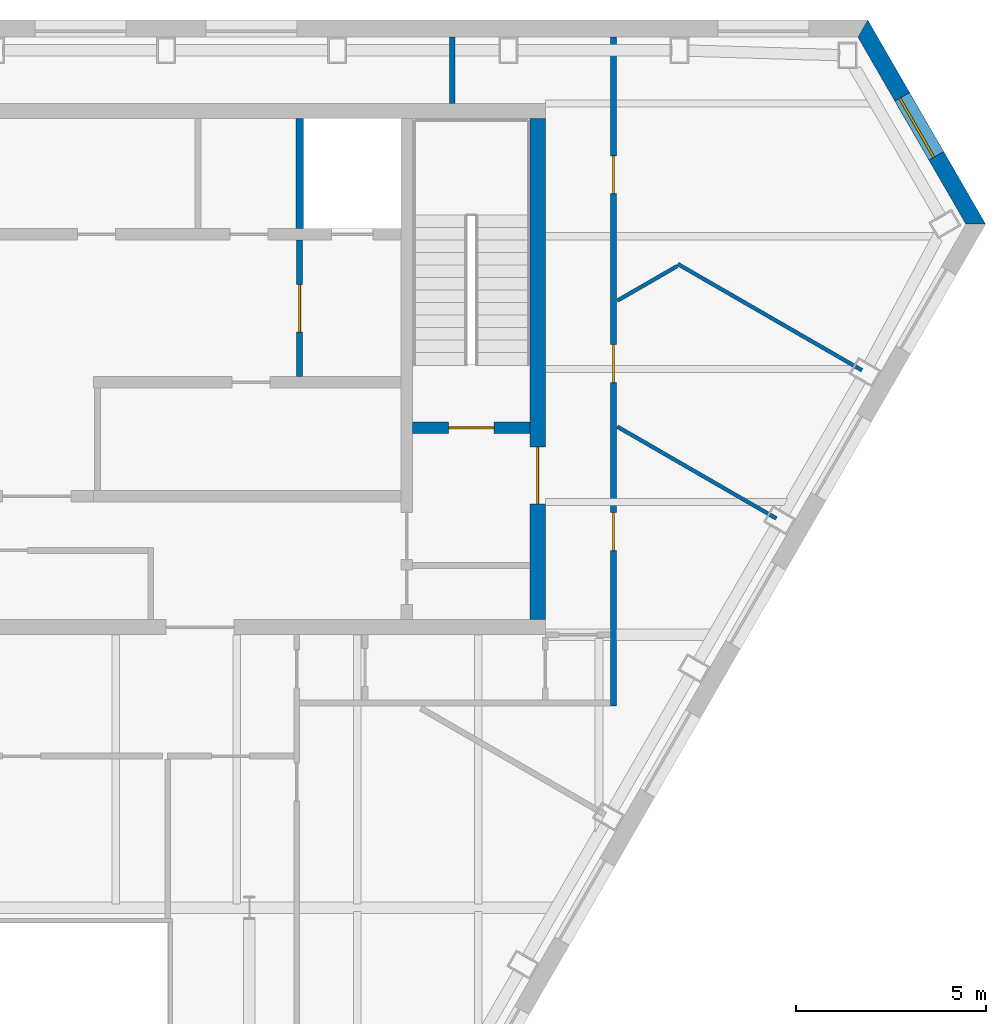
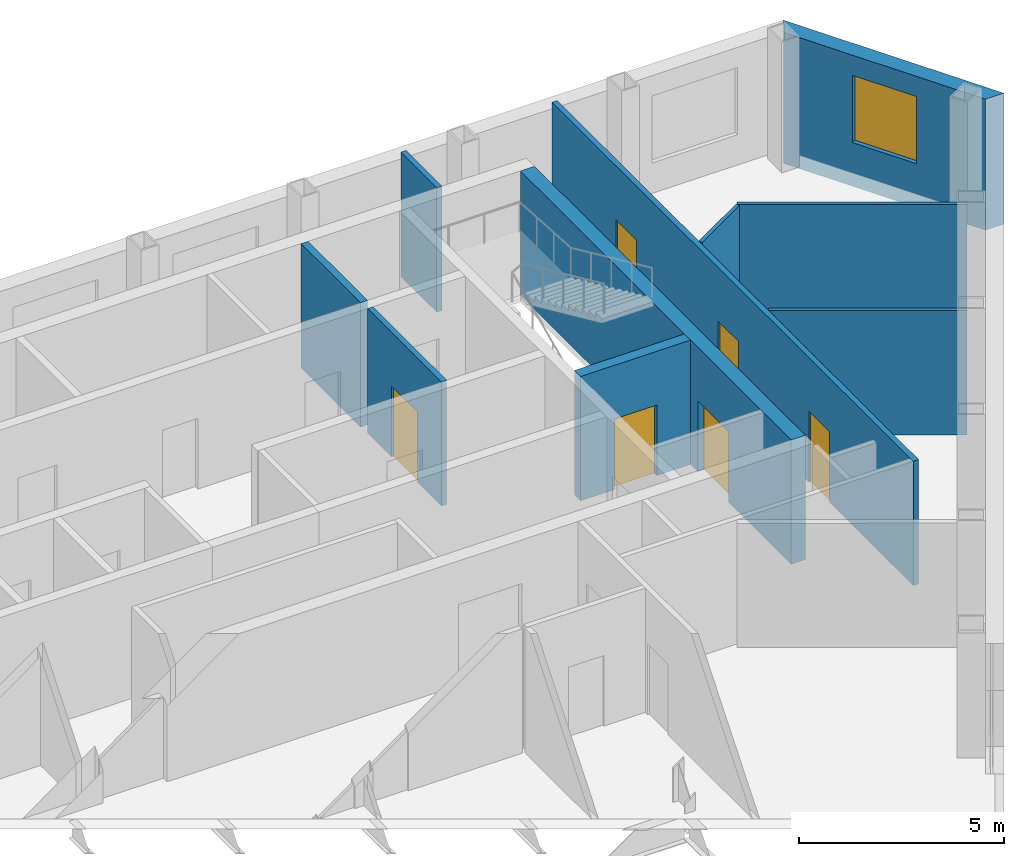
# One storey, part 7 of 10: 10 walls, 6 doors, 1 window, 7 openings.
"""IFC4 building model written with IfcOpenShell, lengths in metres."""

from ifc_helpers import new_model, si_unit, direction, frame, frame_2d, origin, place, context, subcontext, project, spatial, polyline, rectangle, outline, extrude, material, layer, layer_set, type_object, element, fill, save


model = new_model("IFC4")

# Units and contexts
model_context = context("Model", 3, precision=1e-05, world=origin(), true_north=direction((0.0, 1.0)))
body_context = subcontext(model_context, "Body", "Model", "MODEL_VIEW")
ifc_project = project(units=[si_unit("LENGTHUNIT", "METRE"), si_unit("AREAUNIT", "SQUARE_METRE"), si_unit("VOLUMEUNIT", "CUBIC_METRE"), si_unit("PLANEANGLEUNIT", "RADIAN"), si_unit("MASSUNIT", "GRAM", prefix="KILO")], contexts=[model_context])

# Site, building, storey
site_placement = place(None, origin())
site = spatial("IfcSite", under=ifc_project, at=site_placement, CompositionType="ELEMENT")
building_placement = place(site_placement, origin())
building = spatial("IfcBuilding", under=site, at=building_placement, Name="Njiva Tower", CompositionType="ELEMENT")
storey_placement = place(building_placement, frame((0.0, 0.0, 249.3)))
storey = spatial("IfcBuildingStorey", under=building, at=storey_placement, Name="L56", CompositionType="ELEMENT", Elevation=249.3)

# Wall, opening, door
ifc_material_1 = material(Name="Concrete C40/50", Category="concrete")
ifc_layer_1 = layer(ifc_material_1, 0.3)
ifc_layer_set_1 = layer_set([ifc_layer_1], Name="Concrete C40/50")
wall_type_1 = type_object("IfcWallType", Name="WT10 Stair enclosure wall 300", PredefinedType="SHEAR", material=ifc_layer_set_1)
wall_1_placement = place(storey_placement, frame((11.0, 9.45, 0.0), z_axis=(0.0, 0.0, 1.0), x_axis=(1.0, 0.0, 0.0)))
wall_1 = element("IfcWall", 1, at=wall_1_placement, inside=storey, type_object=wall_type_1, Name="Stair B south wall", PredefinedType="SHEAR", context=body_context, shape_type="SweptSolid", body=[
    extrude(rectangle(XDim=3.1, YDim=0.3, at=frame_2d((1.55, 0.0))), origin(), (0.0, 0.0, 1.0), 3.7),
])
opening_1_placement = place(wall_1_placement, frame((0.95, 0.0, 0.0)))
opening_1 = element("IfcOpeningElement", 2, at=opening_1_placement, cuts=wall_1, Name="Opening S18-D919", PredefinedType="OPENING", context=body_context, shape_type="SweptSolid", body=[
    extrude(rectangle(XDim=1.2, YDim=2.1, at=frame_2d((0.6, 1.05))), frame((0.0, 0.16, 0.0), z_axis=(0.0, -1.0, 0.0), x_axis=(1.0, 0.0, 0.0)), (0.0, 0.0, 1.0), 0.32),
])
ifc_material_2 = material(Name="Glazed steel fire door", Category="steel")
door_type_1 = type_object("IfcDoorType", Name="D7 Stair vestibule door 1200x2100 glazed", OperationType="SINGLE_SWING_LEFT", PredefinedType="DOOR", material=ifc_material_2)
door_1_placement = place(opening_1_placement, origin())
door_1 = element("IfcDoor", 3, at=door_1_placement, inside=storey, type_object=door_type_1, Name="Stair B door", OperationType="SINGLE_SWING_LEFT", OverallHeight=2.1, OverallWidth=1.2, PredefinedType="DOOR", context=body_context, shape_type="SweptSolid", body=[
    extrude(rectangle(XDim=1.2, YDim=2.1, at=frame_2d((0.6, 1.05))), frame((0.0, 0.025, 0.0), z_axis=(0.0, -1.0, 0.0), x_axis=(1.0, 0.0, 0.0)), (0.0, 0.0, 1.0), 0.05),
])
fill(opening_1, door_1)

ifc_material_3 = material(Name="Concrete C60/75", Category="concrete")
ifc_layer_2 = layer(ifc_material_3, 0.4)
ifc_layer_set_2 = layer_set([ifc_layer_2], Name="Concrete C60/75")
wall_type_2 = type_object("IfcWallType", Name="WT11 Core wall 400", PredefinedType="SHEAR", material=ifc_layer_set_2)
wall_2_placement = place(storey_placement, frame((14.3, 4.4, 0.0), z_axis=(0.0, 0.0, 1.0), x_axis=(0.0, 1.0, 0.0)))
wall_2 = element("IfcWall", 4, at=wall_2_placement, inside=storey, type_object=wall_type_2, Name="Core wall east", PredefinedType="SHEAR", context=body_context, shape_type="SweptSolid", body=[
    extrude(rectangle(XDim=13.2, YDim=0.4, at=frame_2d((6.6, 0.0))), origin(), (0.0, 0.0, 1.0), 3.7),
])
opening_2_placement = place(wall_2_placement, frame((3.05, 0.0, 0.0)))
opening_2 = element("IfcOpeningElement", 5, at=opening_2_placement, cuts=wall_2, Name="Opening S18-D921", PredefinedType="OPENING", context=body_context, shape_type="SweptSolid", body=[
    extrude(rectangle(XDim=1.5, YDim=2.1, at=frame_2d((0.75, 1.05))), frame((0.0, 0.21, 0.0), z_axis=(0.0, -1.0, 0.0), x_axis=(1.0, 0.0, 0.0)), (0.0, 0.0, 1.0), 0.42),
])
door_type_2 = type_object("IfcDoorType", Name="D10 Exit door double 1500x2100 glazed", OperationType="DOUBLE_DOOR_SINGLE_SWING", PredefinedType="DOOR", material=ifc_material_2)
door_2_placement = place(opening_2_placement, origin())
door_2 = element("IfcDoor", 6, at=door_2_placement, inside=storey, type_object=door_type_2, Name="Stair B corridor door", OperationType="DOUBLE_DOOR_SINGLE_SWING", OverallHeight=2.1, OverallWidth=1.5, PredefinedType="DOOR", context=body_context, shape_type="SweptSolid", body=[
    extrude(rectangle(XDim=1.5, YDim=2.1, at=frame_2d((0.75, 1.05))), frame((0.0, 0.025, 0.0), z_axis=(0.0, -1.0, 0.0), x_axis=(1.0, 0.0, 0.0)), (0.0, 0.0, 1.0), 0.05),
])
fill(opening_2, door_2)

ifc_material_4 = material(Name="Blockwork", Category="masonry")
ifc_layer_3 = layer(ifc_material_4, 0.15)
ifc_layer_set_3 = layer_set([ifc_layer_3], Name="Blockwork")
wall_type_3 = type_object("IfcWallType", Name="WT2 Lobby partition 150", PredefinedType="PARTITIONING", material=ifc_layer_set_3)
wall_3_placement = place(storey_placement, frame((8.025, 10.8, 0.0), z_axis=(0.0, 0.0, 1.0), x_axis=(0.0, 1.0, 0.0)))
wall_3 = element("IfcWall", 7, at=wall_3_placement, inside=storey, type_object=wall_type_3, Name="Firefighting lobby wall B", PredefinedType="PARTITIONING", context=body_context, shape_type="SweptSolid", body=[
    extrude(rectangle(XDim=3.6, YDim=0.15, at=frame_2d((1.8, 0.0))), origin(), (0.0, 0.0, 1.0), 3.7),
])
opening_3_placement = place(wall_3_placement, frame((1.175, 0.0, 0.0)))
opening_3 = element("IfcOpeningElement", 8, at=opening_3_placement, cuts=wall_3, Name="Opening S18-D918", PredefinedType="OPENING", context=body_context, shape_type="SweptSolid", body=[
    extrude(rectangle(XDim=1.25, YDim=2.1, at=frame_2d((0.625, 1.05))), frame((0.0, 0.085, 0.0), z_axis=(0.0, -1.0, 0.0), x_axis=(1.0, 0.0, 0.0)), (0.0, 0.0, 1.0), 0.17),
])
door_type_3 = type_object("IfcDoorType", Name="D8 Vestibule corridor door 1250x2100 glazed", OperationType="SINGLE_SWING_LEFT", PredefinedType="DOOR", material=ifc_material_2)
door_3_placement = place(opening_3_placement, origin())
door_3 = element("IfcDoor", 9, at=door_3_placement, inside=storey, type_object=door_type_3, Name="Stair vestibule corridor door", OperationType="SINGLE_SWING_LEFT", OverallHeight=2.1, OverallWidth=1.25, PredefinedType="DOOR", context=body_context, shape_type="SweptSolid", body=[
    extrude(rectangle(XDim=1.25, YDim=2.1, at=frame_2d((0.625, 1.05))), frame((0.0, 0.025, 0.0), z_axis=(0.0, -1.0, 0.0), x_axis=(1.0, 0.0, 0.0)), (0.0, 0.0, 1.0), 0.05),
])
fill(opening_3, door_3)

# Walls
ifc_material_5 = material(Name="Gypsum board on steel studs", Category="gypsum")
ifc_layer_4 = layer(ifc_material_5, 0.1)
ifc_layer_set_4 = layer_set([ifc_layer_4], Name="Gypsum board on steel studs")
wall_type_4 = type_object("IfcWallType", Name="WT20 Gypsum partition 100", PredefinedType="PARTITIONING", material=ifc_layer_set_4)
wall_4_placement = place(storey_placement, frame((16.4, 12.803, 0.0), z_axis=(0.0, 0.0, 1.0), x_axis=(0.866341220787, 0.499452589508, 0.0)))
element("IfcWall", 10, at=wall_4_placement, inside=storey, type_object=wall_type_4, Name="Partition S18-P031", PredefinedType="PARTITIONING", context=body_context, shape_type="SweptSolid", body=[
    extrude(rectangle(XDim=1.818, YDim=0.1, at=frame_2d((0.909, 0.0))), origin(), (0.0, 0.0, 1.0), 3.7),
])
wall_5_placement = place(storey_placement, frame((16.4, 9.482, 0.0), z_axis=(0.0, 0.0, 1.0), x_axis=(0.866085797004, -0.499895381282, 0.0)))
element("IfcWall", 11, at=wall_5_placement, inside=storey, type_object=wall_type_4, Name="Partition S18-P032", PredefinedType="PARTITIONING", context=body_context, shape_type="SweptSolid", body=[
    extrude(rectangle(XDim=4.839, YDim=0.1, at=frame_2d((2.4195, 0.0))), origin(), (0.0, 0.0, 1.0), 3.7),
])
wall_6_placement = place(storey_placement, frame((17.991, 13.77, 0.0), z_axis=(0.0, 0.0, 1.0), x_axis=(0.866182615826, -0.499727601839, 0.0)))
element("IfcWall", 12, at=wall_6_placement, inside=storey, type_object=wall_type_4, Name="Partition S18-P033", PredefinedType="PARTITIONING", context=body_context, shape_type="SweptSolid", body=[
    extrude(rectangle(XDim=5.6051, YDim=0.1, at=frame_2d((2.8026, 0.0))), origin(), (0.0, 0.0, 1.0), 3.7),
])
ifc_layer_5 = layer(ifc_material_5, 0.15)
ifc_layer_set_5 = layer_set([ifc_layer_5], Name="Gypsum board on steel studs")
wall_type_5 = type_object("IfcWallType", Name="WT21 Compartment wall 150", PredefinedType="PARTITIONING", material=ifc_layer_set_5)
wall_7_placement = place(storey_placement, frame((12.05, 18.0, 0.0), z_axis=(0.0, 0.0, 1.0), x_axis=(0.0, 1.0, 0.0)))
element("IfcWall", 13, at=wall_7_placement, inside=storey, type_object=wall_type_5, Name="Partition S18-P027", PredefinedType="PARTITIONING", context=body_context, shape_type="SweptSolid", body=[
    extrude(rectangle(XDim=1.75, YDim=0.15, at=frame_2d((0.875, 0.0))), origin(), (0.0, 0.0, 1.0), 3.7),
])

# Wall, openings, doors
wall_8_placement = place(storey_placement, frame((16.3, 2.125, 0.0), z_axis=(0.0, 0.0, 1.0), x_axis=(0.0, 1.0, 0.0)))
wall_8 = element("IfcWall", 14, at=wall_8_placement, inside=storey, type_object=wall_type_5, Name="Partition S18-P030", PredefinedType="PARTITIONING", context=body_context, shape_type="SweptSolid", body=[
    extrude(rectangle(XDim=17.622, YDim=0.15, at=frame_2d((8.811, 0.0))), origin(), (0.0, 0.0, 1.0), 3.7),
])
opening_4_placement = place(wall_8_placement, frame((4.088, 0.0, 0.0)))
opening_4 = element("IfcOpeningElement", 15, at=opening_4_placement, cuts=wall_8, Name="Opening S18-D020", PredefinedType="OPENING", context=body_context, shape_type="SweptSolid", body=[
    extrude(rectangle(XDim=1.0, YDim=2.1, at=frame_2d((0.5, 1.05))), frame((0.0, 0.085, 0.0), z_axis=(0.0, -1.0, 0.0), x_axis=(1.0, 0.0, 0.0)), (0.0, 0.0, 1.0), 0.17),
])
opening_5_placement = place(wall_8_placement, frame((8.517, 0.0, 0.0)))
opening_5 = element("IfcOpeningElement", 16, at=opening_5_placement, cuts=wall_8, Name="Opening S18-D021", PredefinedType="OPENING", context=body_context, shape_type="SweptSolid", body=[
    extrude(rectangle(XDim=1.0, YDim=2.1, at=frame_2d((0.5, 1.05))), frame((0.0, 0.085, 0.0), z_axis=(0.0, -1.0, 0.0), x_axis=(1.0, 0.0, 0.0)), (0.0, 0.0, 1.0), 0.17),
])
opening_6_placement = place(wall_8_placement, frame((13.496, 0.0, 0.0)))
opening_6 = element("IfcOpeningElement", 17, at=opening_6_placement, cuts=wall_8, Name="Opening S18-D022", PredefinedType="OPENING", context=body_context, shape_type="SweptSolid", body=[
    extrude(rectangle(XDim=1.0, YDim=2.1, at=frame_2d((0.5, 1.05))), frame((0.0, 0.085, 0.0), z_axis=(0.0, -1.0, 0.0), x_axis=(1.0, 0.0, 0.0)), (0.0, 0.0, 1.0), 0.17),
])
ifc_material_6 = material(Name="Steel fire door set", Category="steel")
door_type_4 = type_object("IfcDoorType", Name="D37 Fire door 1000x2100", OperationType="SINGLE_SWING_LEFT", PredefinedType="DOOR", material=ifc_material_6)
door_4_placement = place(opening_4_placement, origin())
door_4 = element("IfcDoor", 18, at=door_4_placement, inside=storey, type_object=door_type_4, Name="Door S18-D020", OperationType="SINGLE_SWING_LEFT", OverallHeight=2.1, OverallWidth=1.0, PredefinedType="DOOR", context=body_context, shape_type="SweptSolid", body=[
    extrude(rectangle(XDim=1.0, YDim=2.1, at=frame_2d((0.5, 1.05))), frame((0.0, 0.025, 0.0), z_axis=(0.0, -1.0, 0.0), x_axis=(1.0, 0.0, 0.0)), (0.0, 0.0, 1.0), 0.05),
])
fill(opening_4, door_4)
door_5_placement = place(opening_5_placement, origin())
door_5 = element("IfcDoor", 19, at=door_5_placement, inside=storey, type_object=door_type_4, Name="Door S18-D021", OperationType="SINGLE_SWING_RIGHT", OverallHeight=2.1, OverallWidth=1.0, PredefinedType="DOOR", context=body_context, shape_type="SweptSolid", body=[
    extrude(rectangle(XDim=1.0, YDim=2.1, at=frame_2d((0.5, 1.05))), frame((0.0, 0.025, 0.0), z_axis=(0.0, -1.0, 0.0), x_axis=(1.0, 0.0, 0.0)), (0.0, 0.0, 1.0), 0.05),
])
fill(opening_5, door_5)
door_6_placement = place(opening_6_placement, origin())
door_6 = element("IfcDoor", 20, at=door_6_placement, inside=storey, type_object=door_type_4, Name="Door S18-D022", OperationType="SINGLE_SWING_RIGHT", OverallHeight=2.1, OverallWidth=1.0, PredefinedType="DOOR", context=body_context, shape_type="SweptSolid", body=[
    extrude(rectangle(XDim=1.0, YDim=2.1, at=frame_2d((0.5, 1.05))), frame((0.0, 0.025, 0.0), z_axis=(0.0, -1.0, 0.0), x_axis=(1.0, 0.0, 0.0)), (0.0, 0.0, 1.0), 0.05),
])
fill(opening_6, door_6)

# Wall
ifc_layer_6 = layer(ifc_material_1, 0.2)
ifc_layer_set_6 = layer_set([ifc_layer_6], Name="Concrete C40/50")
wall_type_6 = type_object("IfcWallType", Name="WT6 Lift shaft wall 200", PredefinedType="SHEAR", material=ifc_layer_set_6)
wall_9_placement = place(storey_placement, frame((8.025, 14.7, 0.0), z_axis=(0.0, 0.0, 1.0), x_axis=(0.0, 1.0, 0.0)))
element("IfcWall", 21, at=wall_9_placement, inside=storey, type_object=wall_type_6, Name="Shaft wall CN7", PredefinedType="SHEAR", context=body_context, shape_type="SweptSolid", body=[
    extrude(rectangle(XDim=2.9, YDim=0.2, at=frame_2d((1.45, 0.0))), origin(), (0.0, 0.0, 1.0), 3.7),
])

# Wall, opening, window
ifc_material_7 = material(Name="Brick masonry, buff", Category="masonry")
ifc_layer_7 = layer(ifc_material_7, 0.45)
ifc_layer_set_7 = layer_set([ifc_layer_7], Name="Brick masonry, buff")
wall_type_7 = type_object("IfcWallType", Name="WT94 Brick pier and spandrel wall 450, buff", PredefinedType="SOLIDWALL", material=ifc_layer_set_7)
wall_10_placement = place(storey_placement, frame((25.8464, 14.8198, -0.4), z_axis=(0.0, 0.0, 1.0), x_axis=(-0.500001772576, 0.866024380385, 0.0)))
wall_10 = element("IfcWall", 22, at=wall_10_placement, inside=storey, type_object=wall_type_7, Name="Facade wall NE", PredefinedType="SOLIDWALL", context=body_context, shape_type="SweptSolid", body=[
    extrude(outline(polyline([(-0.1299, -0.225), (6.0801, -0.225), (5.8203, 0.225), (0.1299, 0.225), (-0.1299, -0.225)])), origin(), (0.0, 0.0, 1.0), 3.9),
])
opening_7_placement = place(wall_10_placement, frame((2.0751, 0.0, 1.3)))
opening_7 = element("IfcOpeningElement", 23, at=opening_7_placement, cuts=wall_10, Name="Opening S18-W29", PredefinedType="OPENING", context=body_context, shape_type="SweptSolid", body=[
    extrude(rectangle(XDim=1.8, YDim=2.0, at=frame_2d((0.9, 1.0))), frame((0.0, 0.235, 0.0), z_axis=(0.0, -1.0, 0.0), x_axis=(1.0, 0.0, 0.0)), (0.0, 0.0, 1.0), 0.47),
])
ifc_material_8 = material(Name="Clear glazing in aluminium frame", Category="aluminium")
window_type = type_object("IfcWindowType", Name="W94 Deep-set window 1800x2000", PartitioningType="SINGLE_PANEL", PredefinedType="WINDOW", material=ifc_material_8)
window_placement = place(opening_7_placement, origin())
window = element("IfcWindow", 24, at=window_placement, inside=storey, type_object=window_type, Name="Window", OverallHeight=2.0, OverallWidth=1.8, PartitioningType="SINGLE_PANEL", PredefinedType="WINDOW", context=body_context, shape_type="SweptSolid", body=[
    extrude(rectangle(XDim=1.8, YDim=2.0, at=frame_2d((0.9, 1.0))), frame((0.0, 0.105, 0.0), z_axis=(0.0, -1.0, 0.0), x_axis=(1.0, 0.0, 0.0)), (0.0, 0.0, 1.0), 0.06),
])
fill(opening_7, window)

save(model, "model.ifc")
